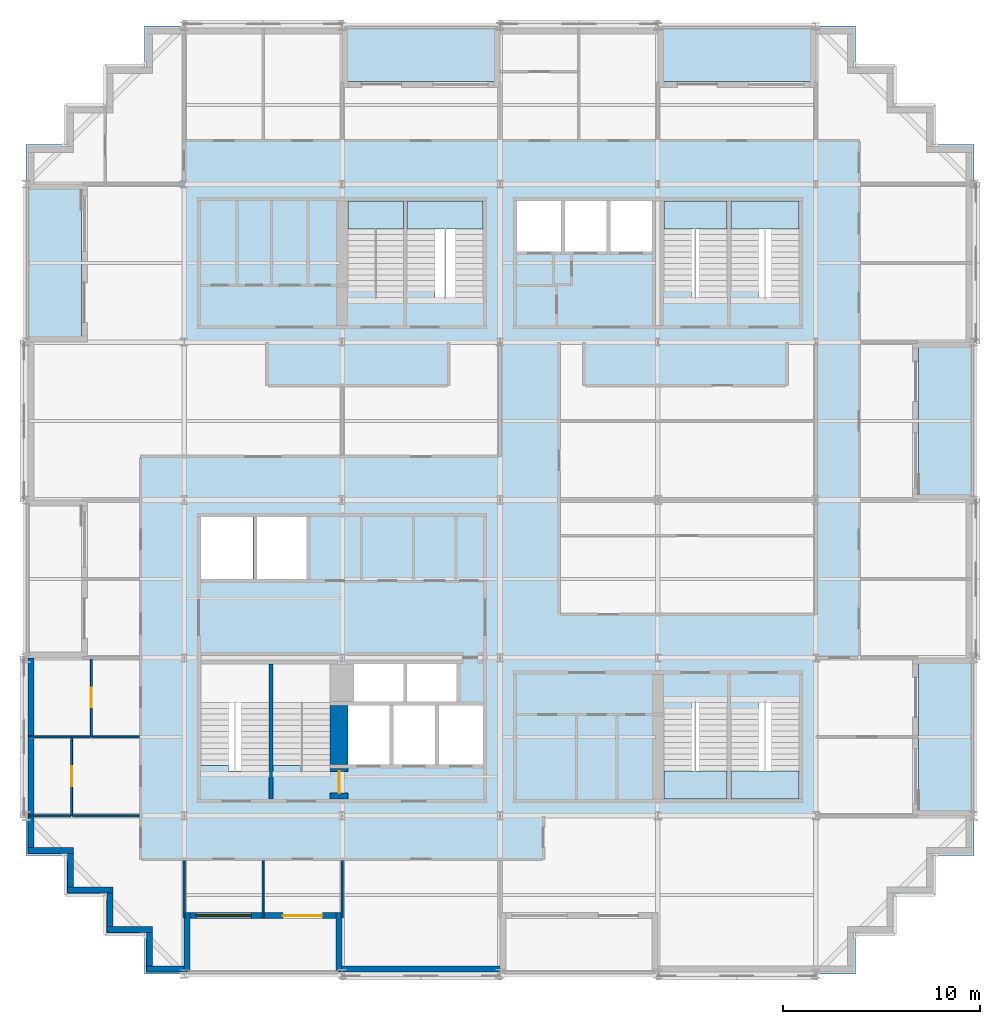
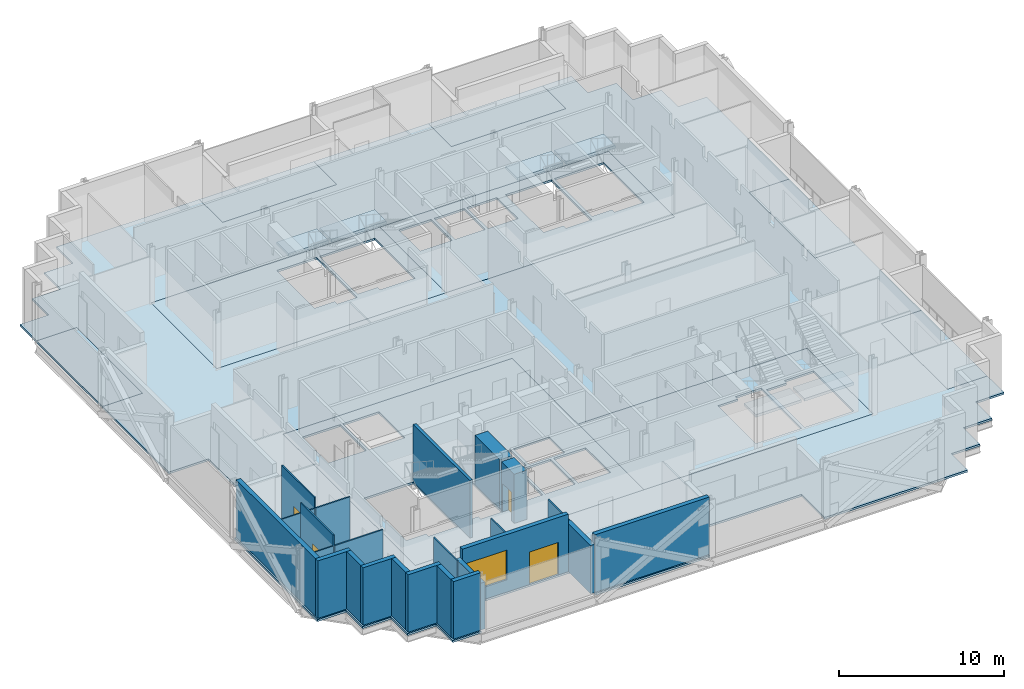
# One storey, part 5 of 14: 25 walls, 16 slabs, 4 doors, 1 window, 5 openings, 6 elements without a shape of their own.
"""IFC4 building model written with IfcOpenShell, lengths in metres."""

import ifcopenshell
import ifcopenshell.guid

model = None  # the IFC model being written
_history = None  # IfcOwnerHistory: only IFC2X3 demands one
_inside = {}  # id of a spatial element -> (the spatial element, [elements in it])
_under = {}  # id of a project, library or spatial element -> (it, [spatial elements below it])
_declared = {}  # id of a project -> (the project, [libraries it declares])
_typed = {}  # id of a type object -> (the type object, [elements of that type])
_made_of = {}  # id of a material, layer set ... -> (it, [elements and type objects made of it])


def new_model(schema):
    """Start an empty IFC model of exactly this schema.

    Asked for "IFC4X3", IfcOpenShell would pick the latest addendum, in which some entities
    have other attributes; the version numbers below select the first issue.
    IFC2X3 requires an IfcOwnerHistory on every rooted entity: one is made here for all.
    """
    global model, _history
    if schema == "IFC4X3":
        model = ifcopenshell.file(schema_version=(4, 3, 0, 0))
    else:
        model = ifcopenshell.file(schema=schema)
    _inside.clear()
    _under.clear()
    _declared.clear()
    _typed.clear()
    _made_of.clear()
    _history = None
    if model.schema == "IFC2X3":
        org = make("IfcOrganization", Name="unknown")
        user = make(
            "IfcPersonAndOrganization",
            ThePerson=make("IfcPerson", FamilyName="unknown"),
            TheOrganization=org,
        )
        app = make(
            "IfcApplication",
            ApplicationDeveloper=org,
            Version="unknown",
            ApplicationFullName="unknown",
            ApplicationIdentifier="unknown",
        )
        _history = make(
            "IfcOwnerHistory",
            OwningUser=user,
            OwningApplication=app,
            ChangeAction="ADDED",
            CreationDate=0,
        )
    return model


def make(cls, **values):
    """One entity of the class cls with the attributes given. An attribute that is None is left unset."""
    return model.create_entity(
        cls, **{name: value for name, value in values.items() if value is not None}
    )


def rooted(cls, **values):
    """An entity with a GlobalId (a new one), such as an element, a storey or a relation."""
    return make(cls, GlobalId=ifcopenshell.guid.new(), OwnerHistory=_history, **values)


def si_unit(unit_type, name, prefix=None):
    """IfcSIUnit, for example si_unit("LENGTHUNIT", "METRE", prefix="MILLI")."""
    return make("IfcSIUnit", UnitType=unit_type, Prefix=prefix, Name=name)


def assignment(units):
    """IfcUnitAssignment: the units of a project."""
    return None if units is None else make("IfcUnitAssignment", Units=units)


def point(xyz):
    """IfcCartesianPoint."""
    return None if xyz is None else make("IfcCartesianPoint", Coordinates=xyz)


def direction(xyz):
    """IfcDirection."""
    return None if xyz is None else make("IfcDirection", DirectionRatios=xyz)


def frame(location, z_axis=None, x_axis=None):
    """IfcAxis2Placement3D, a coordinate frame: its origin and axes. An axis left out is left unset."""
    return make(
        "IfcAxis2Placement3D",
        Location=point(location),
        Axis=direction(z_axis),
        RefDirection=direction(x_axis),
    )


def frame_2d(location, x_axis=None):
    """IfcAxis2Placement2D, a coordinate frame in the plane: its origin and x axis."""
    return make(
        "IfcAxis2Placement2D", Location=point(location), RefDirection=direction(x_axis)
    )


def origin():
    """The frame at (0, 0, 0) with its axes left unset."""
    return frame((0.0, 0.0, 0.0))


def place(relative_to, where):
    """IfcLocalPlacement: puts the frame where relative to a parent placement (None: the world)."""
    return make(
        "IfcLocalPlacement", PlacementRelTo=relative_to, RelativePlacement=where
    )


def context(
    kind, dimensions, precision=None, world=None, true_north=None, identifier=None
):
    """IfcGeometricRepresentationContext, for example the 3D "Model" context."""
    return make(
        "IfcGeometricRepresentationContext",
        ContextIdentifier=identifier,
        ContextType=kind,
        CoordinateSpaceDimension=dimensions,
        Precision=precision,
        WorldCoordinateSystem=world,
        TrueNorth=true_north,
    )


def subcontext(parent, identifier, kind, view, scale=None):
    """IfcGeometricRepresentationSubContext, for example "Body" below "Model"."""
    return make(
        "IfcGeometricRepresentationSubContext",
        ContextIdentifier=identifier,
        ContextType=kind,
        ParentContext=parent,
        TargetScale=scale,
        TargetView=view,
    )


def project(units=None, contexts=None):
    """IfcProject with its units and contexts."""
    return rooted(
        "IfcProject",
        Name="project",
        RepresentationContexts=contexts,
        UnitsInContext=assignment(units),
    )


def spatial(cls, under=None, at=None, **own):
    """A site, building, storey or space (cls), placed at a placement, below another one or the project."""
    s = rooted(cls, ObjectPlacement=at, **own)
    if under is not None:
        _under.setdefault(under.id(), (under, []))[1].append(s)
    return s


def polyline(points):
    """IfcPolyline through the points."""
    return make("IfcPolyline", Points=[point(p) for p in points])


def profile(cls, at=None, kind="AREA", **sizes):
    """A parametric profile (cls). Its sizes go by their IFC names, for example OverallWidth=200.0."""
    return make(cls, ProfileType=kind, Position=at, **sizes)


def rectangle(**sizes):
    """IfcRectangleProfileDef."""
    return profile("IfcRectangleProfileDef", **sizes)


def outline(outer, holes=None, kind="AREA"):
    """IfcArbitraryClosedProfileDef: a profile drawn as a closed curve; with holes, ...WithVoids."""
    if holes is None:
        return make("IfcArbitraryClosedProfileDef", ProfileType=kind, OuterCurve=outer)
    return make(
        "IfcArbitraryProfileDefWithVoids",
        ProfileType=kind,
        OuterCurve=outer,
        InnerCurves=holes,
    )


def extrude(swept, where, along, depth):
    """IfcExtrudedAreaSolid: the profile swept, set in the frame where, extruded along a direction by depth."""
    return make(
        "IfcExtrudedAreaSolid",
        SweptArea=swept,
        Position=where,
        ExtrudedDirection=direction(along),
        Depth=depth,
    )


def shape(context_of_items, identifier, shape_type, items):
    """IfcShapeRepresentation: the items that make up one representation, for example the "Body"."""
    return make(
        "IfcShapeRepresentation",
        ContextOfItems=context_of_items,
        RepresentationIdentifier=identifier,
        RepresentationType=shape_type,
        Items=items,
    )


def material(Name=None, Category=None):
    """IfcMaterial."""
    return make("IfcMaterial", Name=Name, Category=Category)


def layer(
    of_material, thickness, ventilated=None, Name=None, Category=None, Priority=None
):
    """IfcMaterialLayer: one layer of a wall or slab, of a material (None: an air gap)."""
    return make(
        "IfcMaterialLayer",
        Material=of_material,
        LayerThickness=thickness,
        IsVentilated=ventilated,
        Name=Name,
        Category=Category,
        Priority=Priority,
    )


def layer_set(layers, Name=None):
    """IfcMaterialLayerSet."""
    return make("IfcMaterialLayerSet", MaterialLayers=layers, LayerSetName=Name)


def made_of(thing, what):
    """Note that an element or type object is made of a material, layer set ...; save() writes the relation."""
    if what is not None:
        _made_of.setdefault(what.id(), (what, []))[1].append(thing)
    return thing


def type_object(cls, material=None, **own):
    """A type object (cls), such as IfcWallType, which elements share."""
    return made_of(rooted(cls, **own), material)


def element(
    cls,
    number,
    at=None,
    inside=None,
    cuts=None,
    type_object=None,
    material=None,
    context=None,
    identifier="Body",
    shape_type=None,
    held_by="IfcProductDefinitionShape",
    body=None,
    shapes=None,
    **own,
):
    """One element of the class cls, such as IfcWall. Its Tag is "e" and its number.

    at: its placement. inside: the storey or other place that contains it. cuts: it is an
    opening in that element (IfcRelVoidsElement). A single representation is given by context,
    identifier, shape_type and body (its items); several are given by shapes. held_by: the class
    of the entity that holds the representations. save() writes the other relations.
    """
    e = rooted(cls, Tag="e%d" % number, ObjectPlacement=at, **own)
    if body is not None:
        shapes = [shape(context, identifier, shape_type, body)]
    if shapes is not None:
        e.Representation = make(held_by, Representations=shapes)
    if inside is not None:
        _inside.setdefault(inside.id(), (inside, []))[1].append(e)
    if cuts is not None:
        rooted(
            "IfcRelVoidsElement", RelatingBuildingElement=cuts, RelatedOpeningElement=e
        )
    if type_object is not None:
        _typed.setdefault(type_object.id(), (type_object, []))[1].append(e)
    return made_of(e, material)


def fill(opening, filler):
    """IfcRelFillsElement: the door or window that sits in an opening."""
    return rooted(
        "IfcRelFillsElement",
        RelatingOpeningElement=opening,
        RelatedBuildingElement=filler,
    )


def aggregate(whole, parts):
    """IfcRelAggregates: a whole, such as a stair, and the parts it consists of."""
    return rooted("IfcRelAggregates", RelatingObject=whole, RelatedObjects=parts)


def save(model, path):
    """Write the relations noted so far, then the file.

    IfcRelAggregates (storeys below a building ...), IfcRelContainedInSpatialStructure (elements
    in a storey), IfcRelDefinesByType, IfcRelAssociatesMaterial and IfcRelDeclares: one each for
    every whole, place, type object, material and project.
    """
    for whole, parts in _under.values():
        aggregate(whole, parts)
    for where, things in _inside.values():
        rooted(
            "IfcRelContainedInSpatialStructure",
            RelatedElements=things,
            RelatingStructure=where,
        )
    for kind, things in _typed.values():
        rooted("IfcRelDefinesByType", RelatedObjects=things, RelatingType=kind)
    for what, things in _made_of.values():
        rooted("IfcRelAssociatesMaterial", RelatedObjects=things, RelatingMaterial=what)
    for by, libraries in _declared.values():
        rooted("IfcRelDeclares", RelatingContext=by, RelatedDefinitions=libraries)
    model.write(path)


model = new_model("IFC4")

# Units and contexts
model_context = context("Model", 3, precision=1e-05, world=origin(), true_north=direction((0.0, 1.0)))
body_context = subcontext(model_context, "Body", "Model", "MODEL_VIEW")
ifc_project = project(units=[si_unit("LENGTHUNIT", "METRE"), si_unit("AREAUNIT", "SQUARE_METRE"), si_unit("VOLUMEUNIT", "CUBIC_METRE"), si_unit("PLANEANGLEUNIT", "RADIAN"), si_unit("MASSUNIT", "GRAM", prefix="KILO")], contexts=[model_context])

# Site, building, storey
site_placement = place(None, origin())
site = spatial("IfcSite", under=ifc_project, at=site_placement, CompositionType="ELEMENT")
building_placement = place(site_placement, origin())
building = spatial("IfcBuilding", under=site, at=building_placement, Name="Immortelle Media Tower", CompositionType="ELEMENT")
storey_placement = place(building_placement, frame((0.0, 0.0, 96.39990234375)))
storey = spatial("IfcBuildingStorey", under=building, at=storey_placement, Name="L18", CompositionType="ELEMENT", Elevation=96.39990234375)

# Slabs
ifc_material_1 = material(Name="Concrete C50/60 composite deck", Category="concrete")
ifc_layer_1 = layer(ifc_material_1, 0.14990234375)
ifc_layer_set_1 = layer_set([ifc_layer_1], Name="Concrete C50/60 composite deck")
slab_type_1 = type_object("IfcSlabType", Name="Balcony slab 150", PredefinedType="FLOOR", material=ifc_layer_set_1)
slab_1_placement = place(storey_placement, frame((0.0, 0.0, -0.14990234375)))
element("IfcSlab", 1, at=slab_1_placement, inside=storey, type_object=slab_type_1, Name="Balcony slab L18 W0", PredefinedType="FLOOR", context=body_context, shape_type="SweptSolid", body=[
    extrude(outline(polyline([(2.800048828125, 32.0), (2.800048828125, 40.0), (0.0, 40.0), (0.0, 32.0), (2.800048828125, 32.0)])), origin(), (0.0, 0.0, 1.0), 0.14990234375),
])
slab_2_placement = place(storey_placement, frame((0.0, 0.0, -0.14990234375)))
element("IfcSlab", 2, at=slab_2_placement, inside=storey, type_object=slab_type_1, Name="Balcony slab L18 E0", PredefinedType="FLOOR", context=body_context, shape_type="SweptSolid", body=[
    extrude(outline(polyline([(48.0, 8.0), (48.0, 16.0), (45.199951171875, 16.0), (45.199951171875, 8.0), (48.0, 8.0)])), origin(), (0.0, 0.0, 1.0), 0.14990234375),
])
slab_3_placement = place(storey_placement, frame((0.0, 0.0, -0.14990234375)))
element("IfcSlab", 3, at=slab_3_placement, inside=storey, type_object=slab_type_1, Name="Balcony slab L18 E2", PredefinedType="FLOOR", context=body_context, shape_type="SweptSolid", body=[
    extrude(outline(polyline([(48.0, 24.0), (48.0, 32.0), (45.199951171875, 32.0), (45.199951171875, 24.0), (48.0, 24.0)])), origin(), (0.0, 0.0, 1.0), 0.14990234375),
])
slab_4_placement = place(storey_placement, frame((0.0, 0.0, -0.14990234375)))
element("IfcSlab", 4, at=slab_4_placement, inside=storey, type_object=slab_type_1, Name="Balcony slab L18 N0", PredefinedType="FLOOR", context=body_context, shape_type="SweptSolid", body=[
    extrude(outline(polyline([(40.0, 45.199951171875), (40.0, 48.0), (32.0, 48.0), (32.0, 45.199951171875), (40.0, 45.199951171875)])), origin(), (0.0, 0.0, 1.0), 0.14990234375),
])
slab_5_placement = place(storey_placement, frame((0.0, 0.0, -0.14990234375)))
element("IfcSlab", 5, at=slab_5_placement, inside=storey, type_object=slab_type_1, Name="Balcony slab L18 N2", PredefinedType="FLOOR", context=body_context, shape_type="SweptSolid", body=[
    extrude(outline(polyline([(24.0, 45.199951171875), (24.0, 48.0), (16.0, 48.0), (16.0, 45.199951171875), (24.0, 45.199951171875)])), origin(), (0.0, 0.0, 1.0), 0.14990234375),
])
ifc_material_2 = material(Name="Concrete C50/60", Category="concrete")
ifc_layer_2 = layer(ifc_material_2, 0.14990234375)
ifc_layer_set_2 = layer_set([ifc_layer_2], Name="Concrete C50/60")
slab_type_2 = type_object("IfcSlabType", Name="Composite floor slab 150", PredefinedType="FLOOR", material=ifc_layer_set_2)
slab_6_placement = place(storey_placement, frame((0.0, 0.0, -0.14990234375)))
element("IfcSlab", 6, at=slab_6_placement, inside=storey, type_object=slab_type_2, Name="Floor slab L18", PredefinedType="FLOOR", context=body_context, shape_type="SweptSolid", body=[
    extrude(outline(polyline([(6.0, 0.0), (6.0, 2.0), (4.0, 2.0), (4.0, 4.0), (2.0, 4.0), (2.0, 6.0), (0.0, 6.0), (0.0, 16.0), (2.800048828125, 16.0), (2.800048828125, 24.0), (0.0, 24.0), (0.0, 32.0), (2.800048828125, 32.0), (2.800048828125, 40.0), (0.0, 40.0), (0.0, 42.0), (2.0, 42.0), (2.0, 44.0), (4.0, 44.0), (4.0, 46.0), (6.0, 46.0), (6.0, 48.0), (16.0, 48.0), (16.0, 45.199951171875), (24.0, 45.199951171875), (24.0, 48.0), (32.0, 48.0), (32.0, 45.199951171875), (40.0, 45.199951171875), (40.0, 48.0), (42.0, 48.0), (42.0, 46.0), (44.0, 46.0), (44.0, 44.0), (46.0, 44.0), (46.0, 42.0), (48.0, 42.0), (48.0, 32.0), (45.199951171875, 32.0), (45.199951171875, 24.0), (48.0, 24.0), (48.0, 16.0), (45.199951171875, 16.0), (45.199951171875, 8.0), (48.0, 8.0), (48.0, 6.0), (46.0, 6.0), (46.0, 4.0), (44.0, 4.0), (44.0, 2.0), (42.0, 2.0), (42.0, 0.0), (32.0, 0.0), (32.0, 2.800048828125), (24.0, 2.800048828125), (24.0, 0.0), (16.0, 0.0), (16.0, 2.800048828125), (8.0, 2.800048828125), (8.0, 0.0), (6.0, 0.0)]), holes=[polyline([(24.0, 24.0), (8.0, 24.0), (8.0, 8.0), (24.0, 8.0), (40.0, 8.0), (40.0, 16.0), (24.0, 16.0), (24.0, 24.0)]), polyline([(24.0, 32.0), (40.0, 32.0), (40.0, 40.0), (24.0, 40.0), (8.0, 40.0), (8.0, 32.0), (24.0, 32.0)])]), origin(), (0.0, 0.0, 1.0), 0.14990234375),
])
ifc_layer_3 = layer(ifc_material_2, 0.14990234375)
ifc_layer_set_3 = layer_set([ifc_layer_3], Name="Concrete C50/60")
slab_type_3 = type_object("IfcSlabType", Name="Core floor slab 150", PredefinedType="FLOOR", material=ifc_layer_set_3)
slab_7_placement = place(storey_placement, frame((0.0, 0.0, -0.14990234375)))
element("IfcSlab", 7, at=slab_7_placement, inside=storey, type_object=slab_type_3, Name="Core floor SW", PredefinedType="FLOOR", context=body_context, shape_type="SweptSolid", body=[
    extrude(outline(polyline([(8.0, 8.0), (24.0, 8.0), (24.0, 24.0), (8.0, 24.0), (8.0, 8.0)]), holes=[polyline([(8.85009765625, 20.0), (11.5, 20.0), (11.5, 23.14990234375), (8.85009765625, 23.14990234375), (8.85009765625, 20.0)]), polyline([(11.699951171875, 20.0), (14.199951171875, 20.0), (14.199951171875, 23.14990234375), (11.699951171875, 23.14990234375), (11.699951171875, 20.0)]), polyline([(16.60009765625, 13.800048828125), (19.10009765625, 13.800048828125), (19.10009765625, 15.699951171875), (16.60009765625, 15.699951171875), (16.60009765625, 13.800048828125)]), polyline([(19.300048828125, 13.800048828125), (21.800048828125, 13.800048828125), (21.800048828125, 15.699951171875), (19.300048828125, 15.699951171875), (19.300048828125, 13.800048828125)]), polyline([(16.300048828125, 10.60009765625), (18.39990234375, 10.60009765625), (18.39990234375, 13.60009765625), (16.300048828125, 13.60009765625), (16.300048828125, 10.60009765625)]), polyline([(18.60009765625, 10.60009765625), (20.699951171875, 10.60009765625), (20.699951171875, 13.60009765625), (18.60009765625, 13.60009765625), (18.60009765625, 10.60009765625)]), polyline([(20.89990234375, 10.60009765625), (23.14990234375, 10.60009765625), (23.14990234375, 13.60009765625), (20.89990234375, 13.60009765625), (20.89990234375, 10.60009765625)]), polyline([(8.85009765625, 15.699951171875), (12.300048828125, 15.699951171875), (12.300048828125, 10.27001953125), (10.25, 10.27001953125), (10.25, 10.56005859375), (8.85009765625, 10.56005859375), (8.85009765625, 15.699951171875)]), polyline([(12.5, 15.699951171875), (15.39990234375, 15.699951171875), (15.39990234375, 10.27001953125), (13.89990234375, 10.27001953125), (13.89990234375, 10.56005859375), (12.5, 10.56005859375), (12.5, 15.699951171875)])]), origin(), (0.0, 0.0, 1.0), 0.14990234375),
])
slab_8_placement = place(storey_placement, frame((0.0, 0.0, -0.14990234375)))
element("IfcSlab", 8, at=slab_8_placement, inside=storey, type_object=slab_type_3, Name="Core floor SE", PredefinedType="FLOOR", context=body_context, shape_type="SweptSolid", body=[
    extrude(outline(polyline([(24.0, 8.0), (40.0, 8.0), (40.0, 16.0), (24.0, 16.0), (24.0, 8.0)]), holes=[polyline([(35.5, 13.72998046875), (35.5, 8.85009765625), (32.300048828125, 8.85009765625), (32.300048828125, 13.43994140625), (33.699951171875, 13.43994140625), (33.699951171875, 13.72998046875), (35.5, 13.72998046875)]), polyline([(39.14990234375, 13.72998046875), (39.14990234375, 8.85009765625), (35.699951171875, 8.85009765625), (35.699951171875, 13.43994140625), (37.10009765625, 13.43994140625), (37.10009765625, 13.72998046875), (39.14990234375, 13.72998046875)])]), origin(), (0.0, 0.0, 1.0), 0.14990234375),
])
slab_9_placement = place(storey_placement, frame((0.0, 0.0, -0.14990234375)))
element("IfcSlab", 9, at=slab_9_placement, inside=storey, type_object=slab_type_3, Name="Core floor NW", PredefinedType="FLOOR", context=body_context, shape_type="SweptSolid", body=[
    extrude(outline(polyline([(8.0, 32.0), (24.0, 32.0), (24.0, 40.0), (8.0, 40.0), (8.0, 32.0)]), holes=[polyline([(16.300048828125, 39.14990234375), (19.10009765625, 39.14990234375), (19.10009765625, 34.27001953125), (17.699951171875, 34.27001953125), (17.699951171875, 34.56005859375), (16.300048828125, 34.56005859375), (16.300048828125, 39.14990234375)]), polyline([(19.300048828125, 39.14990234375), (23.14990234375, 39.14990234375), (23.14990234375, 34.27001953125), (20.699951171875, 34.27001953125), (20.699951171875, 34.56005859375), (19.300048828125, 34.56005859375), (19.300048828125, 39.14990234375)])]), origin(), (0.0, 0.0, 1.0), 0.14990234375),
])
slab_10_placement = place(storey_placement, frame((0.0, 0.0, -0.14990234375)))
element("IfcSlab", 10, at=slab_10_placement, inside=storey, type_object=slab_type_3, Name="Core floor NE", PredefinedType="FLOOR", context=body_context, shape_type="SweptSolid", body=[
    extrude(outline(polyline([(24.0, 32.0), (40.0, 32.0), (40.0, 40.0), (24.0, 40.0), (24.0, 32.0)]), holes=[polyline([(24.85009765625, 36.60009765625), (27.10009765625, 36.60009765625), (27.10009765625, 39.14990234375), (24.85009765625, 39.14990234375), (24.85009765625, 36.60009765625)]), polyline([(27.300048828125, 36.60009765625), (29.39990234375, 36.60009765625), (29.39990234375, 39.14990234375), (27.300048828125, 39.14990234375), (27.300048828125, 36.60009765625)]), polyline([(29.60009765625, 36.60009765625), (31.699951171875, 36.60009765625), (31.699951171875, 39.14990234375), (29.60009765625, 39.14990234375), (29.60009765625, 36.60009765625)]), polyline([(32.300048828125, 39.14990234375), (35.5, 39.14990234375), (35.5, 34.27001953125), (33.699951171875, 34.27001953125), (33.699951171875, 34.56005859375), (32.300048828125, 34.56005859375), (32.300048828125, 39.14990234375)]), polyline([(35.699951171875, 39.14990234375), (39.14990234375, 39.14990234375), (39.14990234375, 34.27001953125), (37.10009765625, 34.27001953125), (37.10009765625, 34.56005859375), (35.699951171875, 34.56005859375), (35.699951171875, 39.14990234375)])]), origin(), (0.0, 0.0, 1.0), 0.14990234375),
])

# Stair, slab
ifc_material_3 = material(Name="Steel ASTM A992 Gr 50", Category="steel")
stair_type = type_object("IfcStairType", Name="Stair with flights", PredefinedType="DOUBLE_RETURN_STAIR", material=ifc_material_3)
stair_1_placement = place(storey_placement, origin())
stair_1 = element("IfcStair", 11, at=stair_1_placement, inside=storey, type_object=stair_type, Name="Exit stair SE1", PredefinedType="DOUBLE_RETURN_STAIR")
ifc_material_4 = material(Name="Steel ASTM A572 Gr 50", Category="steel")
ifc_layer_4 = layer(ifc_material_4, 0.199951171875)
ifc_layer_set_4 = layer_set([ifc_layer_4], Name="Steel ASTM A572 Gr 50")
slab_type_4 = type_object("IfcSlabType", Name="Stair landing 200", PredefinedType="LANDING", material=ifc_layer_set_4)
slab_11_placement = place(storey_placement, frame((0.0, 0.0, 1.912109375)))
slab_11 = element("IfcSlab", 12, at=slab_11_placement, type_object=slab_type_4, Name="ST SE1 landing 1", PredefinedType="LANDING", context=body_context, shape_type="SweptSolid", body=[
    extrude(outline(polyline([(32.300048828125, 8.85009765625), (35.5, 8.85009765625), (35.5, 10.27001953125), (32.300048828125, 10.27001953125), (32.300048828125, 8.85009765625)])), origin(), (0.0, 0.0, 1.0), 0.199951171875),
])
aggregate(stair_1, [slab_11])

stair_2_placement = place(storey_placement, origin())
stair_2 = element("IfcStair", 13, at=stair_2_placement, inside=storey, type_object=stair_type, Name="Exit stair SE2", PredefinedType="DOUBLE_RETURN_STAIR")
slab_12_placement = place(storey_placement, frame((0.0, 0.0, 1.912109375)))
slab_12 = element("IfcSlab", 14, at=slab_12_placement, type_object=slab_type_4, Name="ST SE2 landing 1", PredefinedType="LANDING", context=body_context, shape_type="SweptSolid", body=[
    extrude(outline(polyline([(35.699951171875, 8.85009765625), (39.14990234375, 8.85009765625), (39.14990234375, 10.27001953125), (35.699951171875, 10.27001953125), (35.699951171875, 8.85009765625)])), origin(), (0.0, 0.0, 1.0), 0.199951171875),
])
aggregate(stair_2, [slab_12])

stair_3_placement = place(storey_placement, origin())
stair_3 = element("IfcStair", 15, at=stair_3_placement, inside=storey, type_object=stair_type, Name="Exit stair NW1", PredefinedType="DOUBLE_RETURN_STAIR")
slab_13_placement = place(storey_placement, frame((0.0, 0.0, 1.912109375)))
slab_13 = element("IfcSlab", 16, at=slab_13_placement, type_object=slab_type_4, Name="ST NW1 landing 1", PredefinedType="LANDING", context=body_context, shape_type="SweptSolid", body=[
    extrude(outline(polyline([(16.300048828125, 37.72998046875), (19.10009765625, 37.72998046875), (19.10009765625, 39.14990234375), (16.300048828125, 39.14990234375), (16.300048828125, 37.72998046875)])), origin(), (0.0, 0.0, 1.0), 0.199951171875),
])
aggregate(stair_3, [slab_13])

stair_4_placement = place(storey_placement, origin())
stair_4 = element("IfcStair", 17, at=stair_4_placement, inside=storey, type_object=stair_type, Name="Exit stair NW2", PredefinedType="DOUBLE_RETURN_STAIR")
slab_14_placement = place(storey_placement, frame((0.0, 0.0, 1.912109375)))
slab_14 = element("IfcSlab", 18, at=slab_14_placement, type_object=slab_type_4, Name="ST NW2 landing 1", PredefinedType="LANDING", context=body_context, shape_type="SweptSolid", body=[
    extrude(outline(polyline([(19.300048828125, 37.72998046875), (23.14990234375, 37.72998046875), (23.14990234375, 39.14990234375), (19.300048828125, 39.14990234375), (19.300048828125, 37.72998046875)])), origin(), (0.0, 0.0, 1.0), 0.199951171875),
])
aggregate(stair_4, [slab_14])

stair_5_placement = place(storey_placement, origin())
stair_5 = element("IfcStair", 19, at=stair_5_placement, inside=storey, type_object=stair_type, Name="Exit stair NE1", PredefinedType="DOUBLE_RETURN_STAIR")
slab_15_placement = place(storey_placement, frame((0.0, 0.0, 1.912109375)))
slab_15 = element("IfcSlab", 20, at=slab_15_placement, type_object=slab_type_4, Name="ST NE1 landing 1", PredefinedType="LANDING", context=body_context, shape_type="SweptSolid", body=[
    extrude(outline(polyline([(32.300048828125, 37.72998046875), (35.5, 37.72998046875), (35.5, 39.14990234375), (32.300048828125, 39.14990234375), (32.300048828125, 37.72998046875)])), origin(), (0.0, 0.0, 1.0), 0.199951171875),
])
aggregate(stair_5, [slab_15])

stair_6_placement = place(storey_placement, origin())
stair_6 = element("IfcStair", 21, at=stair_6_placement, inside=storey, type_object=stair_type, Name="Exit stair NE2", PredefinedType="DOUBLE_RETURN_STAIR")
slab_16_placement = place(storey_placement, frame((0.0, 0.0, 1.912109375)))
slab_16 = element("IfcSlab", 22, at=slab_16_placement, type_object=slab_type_4, Name="ST NE2 landing 1", PredefinedType="LANDING", context=body_context, shape_type="SweptSolid", body=[
    extrude(outline(polyline([(35.699951171875, 37.72998046875), (39.14990234375, 37.72998046875), (39.14990234375, 39.14990234375), (35.699951171875, 39.14990234375), (35.699951171875, 37.72998046875)])), origin(), (0.0, 0.0, 1.0), 0.199951171875),
])
aggregate(stair_6, [slab_16])

# Walls
ifc_material_5 = material(Name="Pale aluminium cladding panel", Category="aluminium")
ifc_layer_5 = layer(ifc_material_5, 0.030029296875)
ifc_material_6 = material(Name="Steel ASTM A653 SS Gr 50 stud frame with mineral wool", Category="steel")
ifc_layer_6 = layer(ifc_material_6, 0.257568359375)
ifc_material_7 = material(Name="Moisture-resistant gypsum board", Category="gypsum")
ifc_layer_7 = layer(ifc_material_7, 0.012451171875)
ifc_layer_set_5 = layer_set([ifc_layer_5, ifc_layer_6, ifc_layer_7], Name="Steel ASTM A653 SS Gr 50 stud frame with mineral wool")
wall_type_1 = type_object("IfcWallType", Name="Facade wall 300", PredefinedType="SOLIDWALL", material=ifc_layer_set_5)
wall_1_placement = place(storey_placement, frame((0.25, 16.0, 0.0), z_axis=(0.0, 0.0, 1.0), x_axis=(0.0, -1.0, 0.0)))
element("IfcWall", 23, at=wall_1_placement, inside=storey, type_object=wall_type_1, Name="Facade wall L18 W0", PredefinedType="SOLIDWALL", context=body_context, shape_type="SweptSolid", body=[
    extrude(rectangle(XDim=9.60009765625, YDim=0.300048828125, at=frame_2d((4.800048828125, 0.0))), origin(), (0.0, 0.0, 1.0), 4.25),
])
wall_2_placement = place(storey_placement, frame((0.10009765625, 6.25, 0.0), z_axis=(0.0, 0.0, 1.0), x_axis=(1.0, 0.0, 0.0)))
element("IfcWall", 24, at=wall_2_placement, inside=storey, type_object=wall_type_1, Name="Facade wall L18 S1", PredefinedType="SOLIDWALL", context=body_context, shape_type="SweptSolid", body=[
    extrude(rectangle(XDim=2.2998046875, YDim=0.300048828125, at=frame_2d((1.14990234375, 0.0))), origin(), (0.0, 0.0, 1.0), 4.25),
])
wall_3_placement = place(storey_placement, frame((2.25, 6.10009765625, 0.0), z_axis=(0.0, 0.0, 1.0), x_axis=(0.0, -1.0, 0.0)))
element("IfcWall", 25, at=wall_3_placement, inside=storey, type_object=wall_type_1, Name="Facade wall L18 W2", PredefinedType="SOLIDWALL", context=body_context, shape_type="SweptSolid", body=[
    extrude(rectangle(XDim=1.7001953125, YDim=0.300048828125, at=frame_2d((0.85009765625, 0.0))), origin(), (0.0, 0.0, 1.0), 4.25),
])
wall_4_placement = place(storey_placement, frame((2.10009765625, 4.25, 0.0), z_axis=(0.0, 0.0, 1.0), x_axis=(1.0, 0.0, 0.0)))
element("IfcWall", 26, at=wall_4_placement, inside=storey, type_object=wall_type_1, Name="Facade wall L18 S3", PredefinedType="SOLIDWALL", context=body_context, shape_type="SweptSolid", body=[
    extrude(rectangle(XDim=2.2998046875, YDim=0.300048828125, at=frame_2d((1.14990234375, 0.0))), origin(), (0.0, 0.0, 1.0), 4.25),
])
wall_5_placement = place(storey_placement, frame((4.25, 4.10009765625, 0.0), z_axis=(0.0, 0.0, 1.0), x_axis=(0.0, -1.0, 0.0)))
element("IfcWall", 27, at=wall_5_placement, inside=storey, type_object=wall_type_1, Name="Facade wall L18 W4", PredefinedType="SOLIDWALL", context=body_context, shape_type="SweptSolid", body=[
    extrude(rectangle(XDim=1.7001953125, YDim=0.300048828125, at=frame_2d((0.85009765625, 0.0))), origin(), (0.0, 0.0, 1.0), 4.25),
])
wall_6_placement = place(storey_placement, frame((4.10009765625, 2.25, 0.0), z_axis=(0.0, 0.0, 1.0), x_axis=(1.0, 0.0, 0.0)))
element("IfcWall", 28, at=wall_6_placement, inside=storey, type_object=wall_type_1, Name="Facade wall L18 S5", PredefinedType="SOLIDWALL", context=body_context, shape_type="SweptSolid", body=[
    extrude(rectangle(XDim=2.2998046875, YDim=0.300048828125, at=frame_2d((1.14990234375, 0.0))), origin(), (0.0, 0.0, 1.0), 4.25),
])
wall_7_placement = place(storey_placement, frame((6.25, 2.10009765625, 0.0), z_axis=(0.0, 0.0, 1.0), x_axis=(0.0, -1.0, 0.0)))
element("IfcWall", 29, at=wall_7_placement, inside=storey, type_object=wall_type_1, Name="Facade wall L18 W6", PredefinedType="SOLIDWALL", context=body_context, shape_type="SweptSolid", body=[
    extrude(rectangle(XDim=1.7001953125, YDim=0.300048828125, at=frame_2d((0.85009765625, 0.0))), origin(), (0.0, 0.0, 1.0), 4.25),
])
wall_8_placement = place(storey_placement, frame((6.10009765625, 0.25, 0.0), z_axis=(0.0, 0.0, 1.0), x_axis=(1.0, 0.0, 0.0)))
element("IfcWall", 30, at=wall_8_placement, inside=storey, type_object=wall_type_1, Name="Facade wall L18 S7", PredefinedType="SOLIDWALL", context=body_context, shape_type="SweptSolid", body=[
    extrude(rectangle(XDim=1.89990234375, YDim=0.300048828125, at=frame_2d((0.949951171875, 0.0))), origin(), (0.0, 0.0, 1.0), 4.25),
])

# Wall, openings, door, window
wall_9_placement = place(storey_placement, frame((8.300048828125, 2.949951171875, 0.0), z_axis=(0.0, 0.0, 1.0), x_axis=(1.0, 0.0, 0.0)))
wall_9 = element("IfcWall", 31, at=wall_9_placement, inside=storey, type_object=wall_type_1, Name="Loggia wall L18 S7", PredefinedType="SOLIDWALL", context=body_context, shape_type="SweptSolid", body=[
    extrude(rectangle(XDim=7.39990234375, YDim=0.300048828125, at=frame_2d((3.699951171875, 0.0))), origin(), (0.0, 0.0, 1.0), 4.25),
])
opening_1_placement = place(wall_9_placement, frame((0.300048828125, 0.0, 0.89990234375)))
opening_1 = element("IfcOpeningElement", 32, at=opening_1_placement, cuts=wall_9, Name="Opening W1", PredefinedType="OPENING", context=body_context, shape_type="SweptSolid", body=[
    extrude(rectangle(XDim=2.800048828125, YDim=2.199951171875, at=frame_2d((1.39990234375, 1.10009765625))), frame((0.0, 0.159912109375, 0.0), z_axis=(0.0, -1.0, 0.0), x_axis=(1.0, 0.0, 0.0)), (0.0, 0.0, 1.0), 0.320068359375),
])
opening_2_placement = place(wall_9_placement, frame((4.699951171875, 0.0, 0.0)))
opening_2 = element("IfcOpeningElement", 33, at=opening_2_placement, cuts=wall_9, Name="Opening N6-E003", PredefinedType="OPENING", context=body_context, shape_type="SweptSolid", body=[
    extrude(rectangle(XDim=2.0, YDim=2.39990234375, at=frame_2d((1.0, 1.199951171875))), frame((0.0, 0.159912109375, 0.0), z_axis=(0.0, -1.0, 0.0), x_axis=(1.0, 0.0, 0.0)), (0.0, 0.0, 1.0), 0.320068359375),
])
ifc_material_8 = material(Name="Aluminium frame, glazed leaves", Category="aluminium")
door_type_1 = type_object("IfcDoorType", Name="Loggia door 2000 x 2400", OperationType="DOUBLE_DOOR_SINGLE_SWING", PredefinedType="DOOR", material=ifc_material_8)
door_1_placement = place(opening_2_placement, origin())
door_1 = element("IfcDoor", 34, at=door_1_placement, inside=storey, type_object=door_type_1, Name="Door N6-E003", OperationType="DOUBLE_DOOR_SINGLE_SWING", OverallHeight=2.39990234375, OverallWidth=2.0, PredefinedType="DOOR", context=body_context, shape_type="SweptSolid", body=[
    extrude(rectangle(XDim=2.0, YDim=2.39990234375, at=frame_2d((1.0, 1.199951171875))), frame((0.0, 0.02490234375, 0.0), z_axis=(0.0, -1.0, 0.0), x_axis=(1.0, 0.0, 0.0)), (0.0, 0.0, 1.0), 0.050048828125),
])
fill(opening_2, door_1)
ifc_material_9 = material(Name="Aluminium frame", Category="aluminium")
window_type = type_object("IfcWindowType", Name="Window 2800 x 2200", PartitioningType="SINGLE_PANEL", PredefinedType="WINDOW", material=ifc_material_9)
window_placement = place(opening_1_placement, origin())
window = element("IfcWindow", 35, at=window_placement, inside=storey, type_object=window_type, Name="Window L18 L18-R7-B0", OverallHeight=2.199951171875, OverallWidth=2.800048828125, PartitioningType="SINGLE_PANEL", PredefinedType="WINDOW", context=body_context, shape_type="SweptSolid", body=[
    extrude(rectangle(XDim=2.800048828125, YDim=2.199951171875, at=frame_2d((1.39990234375, 1.10009765625))), frame((0.0, 0.030029296875, 0.0), z_axis=(0.0, -1.0, 0.0), x_axis=(1.0, 0.0, 0.0)), (0.0, 0.0, 1.0), 0.06005859375),
])
fill(opening_1, window)

# Walls
wall_10_placement = place(storey_placement, frame((8.14990234375, 0.10009765625, 0.0), z_axis=(0.0, 0.0, 1.0), x_axis=(0.0, 1.0, 0.0)))
element("IfcWall", 36, at=wall_10_placement, inside=storey, type_object=wall_type_1, Name="Loggia cheek wall L18 S", PredefinedType="SOLIDWALL", context=body_context, shape_type="SweptSolid", body=[
    extrude(rectangle(XDim=3.0, YDim=0.300048828125, at=frame_2d((1.5, 0.0))), origin(), (0.0, 0.0, 1.0), 3.468994140625),
])
wall_11_placement = place(storey_placement, frame((15.85009765625, 0.10009765625, 0.0), z_axis=(0.0, 0.0, 1.0), x_axis=(0.0, 1.0, 0.0)))
element("IfcWall", 37, at=wall_11_placement, inside=storey, type_object=wall_type_1, Name="Loggia cheek wall L18 S", PredefinedType="SOLIDWALL", context=body_context, shape_type="SweptSolid", body=[
    extrude(rectangle(XDim=3.0, YDim=0.300048828125, at=frame_2d((1.5, 0.0))), origin(), (0.0, 0.0, 1.0), 3.55615234375),
])
wall_12_placement = place(storey_placement, frame((16.0, 0.25, 0.0), z_axis=(0.0, 0.0, 1.0), x_axis=(1.0, 0.0, 0.0)))
element("IfcWall", 38, at=wall_12_placement, inside=storey, type_object=wall_type_1, Name="Facade wall L18 S7", PredefinedType="SOLIDWALL", context=body_context, shape_type="SweptSolid", body=[
    extrude(rectangle(XDim=8.0, YDim=0.300048828125, at=frame_2d((4.0, 0.0))), origin(), (0.0, 0.0, 1.0), 4.25),
])
ifc_material_10 = material(Name="Gypsum board", Category="gypsum")
ifc_layer_8 = layer(ifc_material_10, 0.012451171875)
ifc_layer_9 = layer(ifc_material_6, 0.074951171875)
ifc_layer_10 = layer(ifc_material_10, 0.012451171875)
ifc_layer_set_6 = layer_set([ifc_layer_8, ifc_layer_9, ifc_layer_10], Name="Steel ASTM A653 SS Gr 50 stud frame with mineral wool")
wall_type_2 = type_object("IfcWallType", Name="Partition 100", PredefinedType="PARTITIONING", material=ifc_layer_set_6)
for number, where, z_axis, x_axis, name in (
    (39, (8.0, 2.830078125, 0.0), (0.0, 0.0, 1.0), (0.0, 1.0, 0.0), "Partition L18-001"),
    (40, (12.0, 2.830078125, 0.0), (0.0, 0.0, 1.0), (0.0, 1.0, 0.0), "Partition L18-002"),
    (41, (16.0, 2.830078125, 0.0), (0.0, 0.0, 1.0), (0.0, 1.0, 0.0), "Partition L18-003"),
):
    element("IfcWall", number, at=place(storey_placement, frame(where, z_axis=z_axis, x_axis=x_axis)), inside=storey, type_object=wall_type_2, Name=name, PredefinedType="PARTITIONING", context=body_context, shape_type="SweptSolid", body=[
        extrude(rectangle(XDim=2.89501953125, YDim=0.10009765625, at=frame_2d((1.447509765625, 0.0))), origin(), (0.0, 0.0, 1.0), 3.47021484375),
    ])
wall_13_placement = place(storey_placement, frame((0.1298828125, 8.0, 0.0), z_axis=(0.0, 0.0, 1.0), x_axis=(1.0, 0.0, 0.0)))
element("IfcWall", 42, at=wall_13_placement, inside=storey, type_object=wall_type_2, Name="Partition L18-008", PredefinedType="PARTITIONING", context=body_context, shape_type="SweptSolid", body=[
    extrude(rectangle(XDim=2.1201171875, YDim=0.10009765625, at=frame_2d((1.06005859375, 0.0))), origin(), (0.0, 0.0, 1.0), 3.47021484375),
])
wall_14_placement = place(storey_placement, frame((2.35009765625, 8.0, 0.0), z_axis=(0.0, 0.0, 1.0), x_axis=(1.0, 0.0, 0.0)))
element("IfcWall", 43, at=wall_14_placement, inside=storey, type_object=wall_type_2, Name="Partition L18-009", PredefinedType="PARTITIONING", context=body_context, shape_type="SweptSolid", body=[
    extrude(rectangle(XDim=3.375, YDim=0.10009765625, at=frame_2d((1.6875, 0.0))), origin(), (0.0, 0.0, 1.0), 3.47021484375),
])

# Wall, opening, door
wall_15_placement = place(storey_placement, frame((2.300048828125, 8.0, 0.0), z_axis=(0.0, 0.0, 1.0), x_axis=(0.0, 1.0, 0.0)))
wall_15 = element("IfcWall", 44, at=wall_15_placement, inside=storey, type_object=wall_type_2, Name="Partition L18-010", PredefinedType="PARTITIONING", context=body_context, shape_type="SweptSolid", body=[
    extrude(rectangle(XDim=3.949951171875, YDim=0.10009765625, at=frame_2d((1.97509765625, 0.0))), origin(), (0.0, 0.0, 1.0), 4.25),
])
opening_3_placement = place(wall_15_placement, frame((2.5, 0.0, 0.0), z_axis=(0.0, 0.0, 1.0), x_axis=(-1.0, 0.0, 0.0)))
opening_3 = element("IfcOpeningElement", 45, at=opening_3_placement, cuts=wall_15, Name="Opening N6-F007", PredefinedType="OPENING", context=body_context, shape_type="SweptSolid", body=[
    extrude(rectangle(XDim=1.0, YDim=2.10009765625, at=frame_2d((0.5, 1.050048828125))), frame((0.0, 0.06005859375, 0.0), z_axis=(0.0, -1.0, 0.0), x_axis=(1.0, 0.0, 0.0)), (0.0, 0.0, 1.0), 0.1201171875),
])
ifc_material_11 = material(Name="Timber veneered door leaf, galvanised steel frame ASTM A653", Category="steel")
door_type_2 = type_object("IfcDoorType", Name="Room door 1000 x 2100", OperationType="NOTDEFINED", PredefinedType="DOOR", material=ifc_material_11)
door_2_placement = place(opening_3_placement, origin())
door_2 = element("IfcDoor", 46, at=door_2_placement, inside=storey, type_object=door_type_2, Name="Door N6-F007", OperationType="SINGLE_SWING_LEFT", OverallHeight=2.10009765625, OverallWidth=1.0, PredefinedType="DOOR", context=body_context, shape_type="SweptSolid", body=[
    extrude(rectangle(XDim=1.0, YDim=2.10009765625, at=frame_2d((0.5, 1.050048828125))), frame((0.0, 0.02490234375, 0.0), z_axis=(0.0, -1.0, 0.0), x_axis=(1.0, 0.0, 0.0)), (0.0, 0.0, 1.0), 0.050048828125),
])
fill(opening_3, door_2)

# Walls
wall_16_placement = place(storey_placement, frame((0.1298828125, 12.0, 0.0), z_axis=(0.0, 0.0, 1.0), x_axis=(1.0, 0.0, 0.0)))
element("IfcWall", 47, at=wall_16_placement, inside=storey, type_object=wall_type_2, Name="Partition L18-012", PredefinedType="PARTITIONING", context=body_context, shape_type="SweptSolid", body=[
    extrude(rectangle(XDim=2.170166015625, YDim=0.10009765625, at=frame_2d((1.0849609375, 0.0))), origin(), (0.0, 0.0, 1.0), 3.47021484375),
])
wall_17_placement = place(storey_placement, frame((2.300048828125, 12.0, 0.0), z_axis=(0.0, 0.0, 1.0), x_axis=(1.0, 0.0, 0.0)))
element("IfcWall", 48, at=wall_17_placement, inside=storey, type_object=wall_type_2, Name="Partition L18-013", PredefinedType="PARTITIONING", context=body_context, shape_type="SweptSolid", body=[
    extrude(rectangle(XDim=0.949951171875, YDim=0.10009765625, at=frame_2d((0.47509765625, 0.0))), origin(), (0.0, 0.0, 1.0), 3.47021484375),
])
wall_18_placement = place(storey_placement, frame((3.35009765625, 12.0, 0.0), z_axis=(0.0, 0.0, 1.0), x_axis=(1.0, 0.0, 0.0)))
element("IfcWall", 49, at=wall_18_placement, inside=storey, type_object=wall_type_2, Name="Partition L18-014", PredefinedType="PARTITIONING", context=body_context, shape_type="SweptSolid", body=[
    extrude(rectangle(XDim=2.375, YDim=0.10009765625, at=frame_2d((1.1875, 0.0))), origin(), (0.0, 0.0, 1.0), 3.47021484375),
])

# Wall, opening, door
wall_19_placement = place(storey_placement, frame((3.300048828125, 12.0, 0.0), z_axis=(0.0, 0.0, 1.0), x_axis=(0.0, 1.0, 0.0)))
wall_19 = element("IfcWall", 50, at=wall_19_placement, inside=storey, type_object=wall_type_2, Name="Partition L18-015", PredefinedType="PARTITIONING", context=body_context, shape_type="SweptSolid", body=[
    extrude(rectangle(XDim=3.949951171875, YDim=0.10009765625, at=frame_2d((1.97509765625, 0.0))), origin(), (0.0, 0.0, 1.0), 4.25),
])
opening_4_placement = place(wall_19_placement, frame((1.5, 0.0, 0.0)))
opening_4 = element("IfcOpeningElement", 51, at=opening_4_placement, cuts=wall_19, Name="Opening N6-F009", PredefinedType="OPENING", context=body_context, shape_type="SweptSolid", body=[
    extrude(rectangle(XDim=1.0, YDim=2.10009765625, at=frame_2d((0.5, 1.050048828125))), frame((0.0, 0.06005859375, 0.0), z_axis=(0.0, -1.0, 0.0), x_axis=(1.0, 0.0, 0.0)), (0.0, 0.0, 1.0), 0.1201171875),
])
door_3_placement = place(opening_4_placement, origin())
door_3 = element("IfcDoor", 52, at=door_3_placement, inside=storey, type_object=door_type_2, Name="Door N6-F009", OperationType="SINGLE_SWING_RIGHT", OverallHeight=2.10009765625, OverallWidth=1.0, PredefinedType="DOOR", context=body_context, shape_type="SweptSolid", body=[
    extrude(rectangle(XDim=1.0, YDim=2.10009765625, at=frame_2d((0.5, 1.050048828125))), frame((0.0, 0.02490234375, 0.0), z_axis=(0.0, -1.0, 0.0), x_axis=(1.0, 0.0, 0.0)), (0.0, 0.0, 1.0), 0.050048828125),
])
fill(opening_4, door_3)

# Wall
ifc_material_12 = material(Name="Concrete C60", Category="concrete")
ifc_layer_11 = layer(ifc_material_12, 0.199951171875)
ifc_layer_set_7 = layer_set([ifc_layer_11], Name="Concrete C60")
wall_type_3 = type_object("IfcWallType", Name="Stair shaft wall 200", PredefinedType="PARTITIONING", material=ifc_layer_set_7)
wall_20_placement = place(storey_placement, frame((12.39990234375, 8.85009765625, 0.0), z_axis=(0.0, 0.0, 1.0), x_axis=(0.0, 1.0, 0.0)))
element("IfcWall", 53, at=wall_20_placement, inside=storey, type_object=wall_type_3, Name="Stair shaft wall SW", PredefinedType="PARTITIONING", context=body_context, shape_type="SweptSolid", body=[
    extrude(rectangle(XDim=6.849853515625, YDim=0.199951171875, at=frame_2d((3.4248046875, 0.0))), origin(), (0.0, 0.0, 1.0), 4.25),
])

# Wall, opening, door
ifc_layer_12 = layer(ifc_material_12, 0.89990234375)
ifc_layer_set_8 = layer_set([ifc_layer_12], Name="Concrete C60")
wall_type_4 = type_object("IfcWallType", Name="Stair shaft wall 900", PredefinedType="PARTITIONING", material=ifc_layer_set_8)
wall_21_placement = place(storey_placement, frame((15.85009765625, 8.85009765625, 0.0), z_axis=(0.0, 0.0, 1.0), x_axis=(0.0, 1.0, 0.0)))
wall_21 = element("IfcWall", 54, at=wall_21_placement, inside=storey, type_object=wall_type_4, Name="Stair shaft wall SW", PredefinedType="PARTITIONING", context=body_context, shape_type="SweptSolid", body=[
    extrude(rectangle(XDim=1.5498046875, YDim=0.89990234375, at=frame_2d((0.77490234375, 0.0))), origin(), (0.0, 0.0, 1.0), 3.632080078125),
])
opening_5_placement = place(wall_21_placement, frame((0.300048828125, 0.0, 0.0)))
opening_5 = element("IfcOpeningElement", 55, at=opening_5_placement, cuts=wall_21, Name="Opening N6-K005", PredefinedType="OPENING", context=body_context, shape_type="SweptSolid", body=[
    extrude(rectangle(XDim=1.10009765625, YDim=2.10009765625, at=frame_2d((0.550048828125, 1.050048828125))), frame((0.0, 0.4599609375, 0.0), z_axis=(0.0, -1.0, 0.0), x_axis=(1.0, 0.0, 0.0)), (0.0, 0.0, 1.0), 0.919921875),
])
ifc_material_13 = material(Name="Galvanised steel door leaf and frame ASTM A653", Category="steel")
door_type_3 = type_object("IfcDoorType", Name="Stair lobby door 1100 x 2100", OperationType="NOTDEFINED", PredefinedType="NOTDEFINED", material=ifc_material_13)
door_4_placement = place(opening_5_placement, origin())
door_4 = element("IfcDoor", 56, at=door_4_placement, inside=storey, type_object=door_type_3, Name="Stair lobby N6-K005", OperationType="SINGLE_SWING_LEFT", OverallHeight=2.10009765625, OverallWidth=1.10009765625, PredefinedType="NOTDEFINED", context=body_context, shape_type="SweptSolid", body=[
    extrude(rectangle(XDim=1.10009765625, YDim=2.10009765625, at=frame_2d((0.550048828125, 1.050048828125))), frame((0.0, 0.02490234375, 0.0), z_axis=(0.0, -1.0, 0.0), x_axis=(1.0, 0.0, 0.0)), (0.0, 0.0, 1.0), 0.050048828125),
])
fill(opening_5, door_4)

# Wall
wall_22_placement = place(storey_placement, frame((15.85009765625, 10.60009765625, 0.0), z_axis=(0.0, 0.0, 1.0), x_axis=(0.0, 1.0, 0.0)))
element("IfcWall", 57, at=wall_22_placement, inside=storey, type_object=wall_type_4, Name="Stair shaft wall SW", PredefinedType="PARTITIONING", context=body_context, shape_type="SweptSolid", body=[
    extrude(rectangle(XDim=3.0, YDim=0.89990234375, at=frame_2d((1.5, 0.0))), origin(), (0.0, 0.0, 1.0), 3.632080078125),
])

save(model, "model.ifc")
